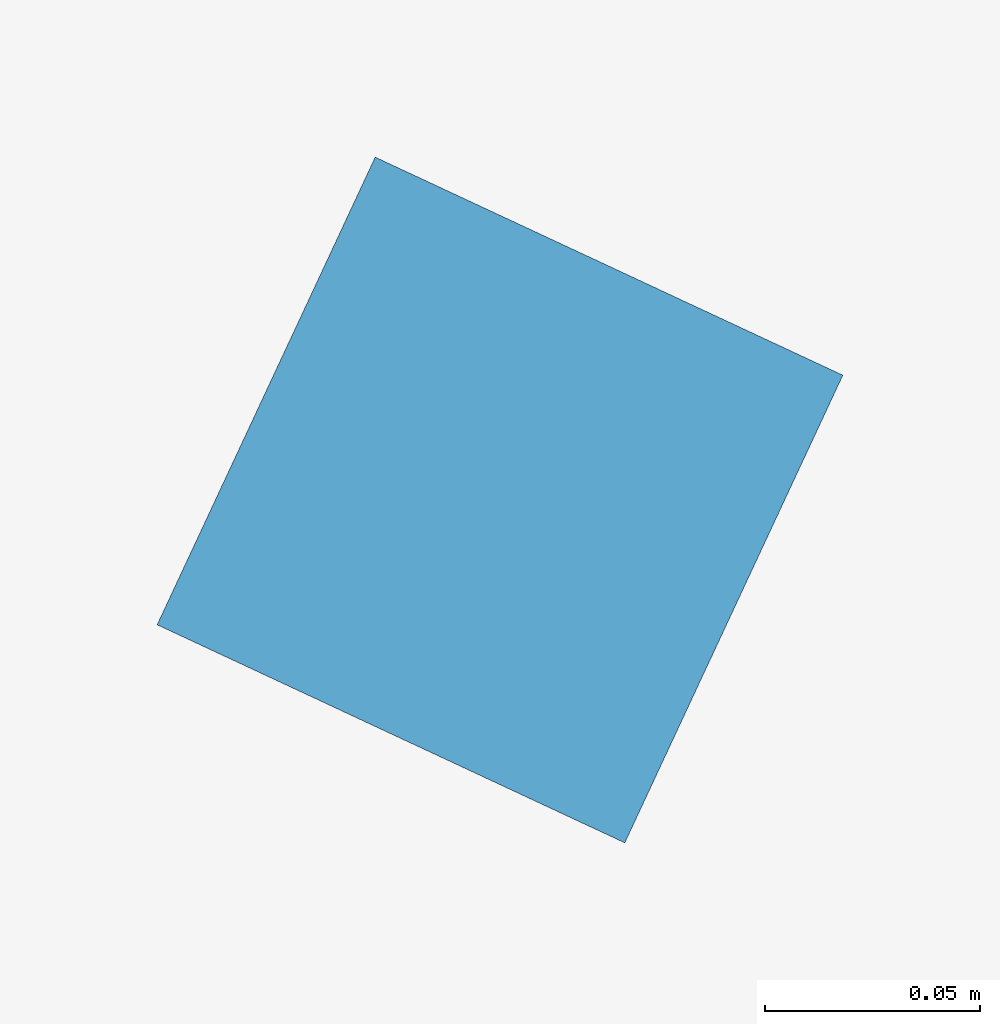
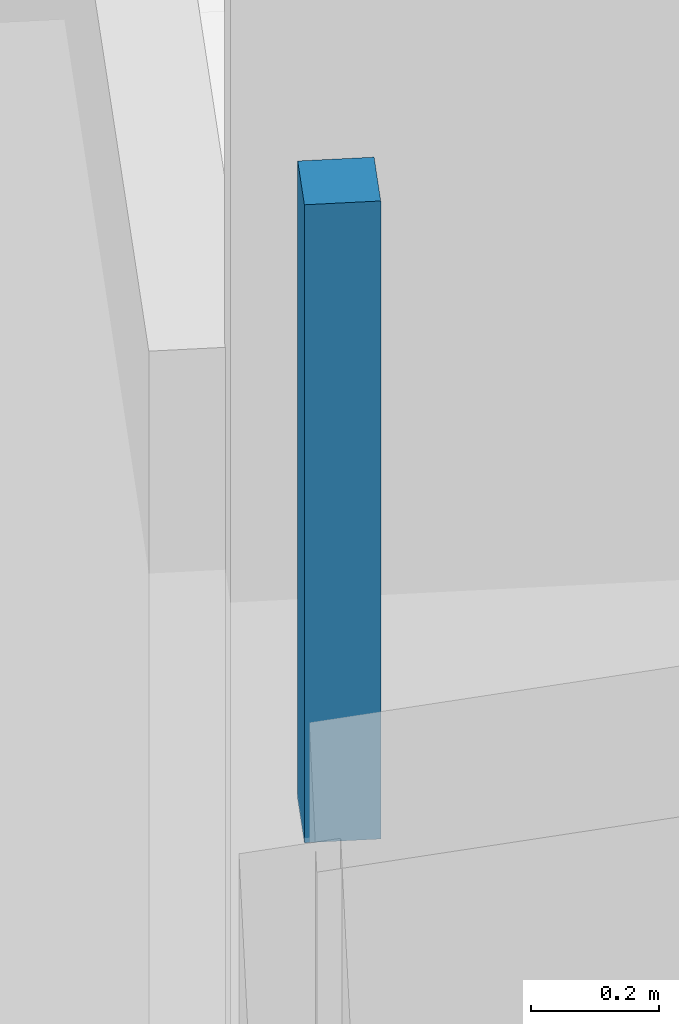
# One storey, part 19 of 23: 1 discrete accessory.
"""IFC4 building model written with IfcOpenShell, lengths in metres."""

from ifc_helpers import new_model, si_unit, direction, frame, origin, origin_2d, place, context, subcontext, project, spatial, rectangle, extrude, source, transform, mapped, material, type_object, element, save


model = new_model("IFC4")

# Units and contexts
model_context = context("Model", 3, precision=1e-05, world=origin(), true_north=direction((0.0, 1.0)))
body_context = subcontext(model_context, "Body", "Model", "MODEL_VIEW")
ifc_project = project(units=[si_unit("LENGTHUNIT", "METRE"), si_unit("AREAUNIT", "SQUARE_METRE"), si_unit("VOLUMEUNIT", "CUBIC_METRE"), si_unit("PLANEANGLEUNIT", "RADIAN"), si_unit("MASSUNIT", "GRAM", prefix="KILO")], contexts=[model_context])

# Site, building, storey
site_placement = place(None, origin())
site = spatial("IfcSite", under=ifc_project, at=site_placement, CompositionType="ELEMENT")
building_placement = place(site_placement, origin())
building = spatial("IfcBuilding", under=site, at=building_placement, Name="Torre Montelarca", CompositionType="ELEMENT")
storey_placement = place(building_placement, frame((0.0, 0.0, 158.199951171875)))
storey = spatial("IfcBuildingStorey", under=building, at=storey_placement, Name="L35", CompositionType="ELEMENT", Elevation=158.199951171875)

# Discrete accessory
ifc_material = material(Name="Galvanized steel suspension hanger", Category="steel")
discrete_accessory_type = type_object("IfcDiscreteAccessoryType", Name="ACC-CEIL-HNG", PredefinedType="BRACKET", material=ifc_material)
shared_shape = source(origin(), body_context, "Body", "SweptSolid", [
    extrude(rectangle(XDim=0.1201171875, YDim=0.1201171875, at=origin_2d()), origin(), (0.0, 0.0, 1.0), 1.219970703125),
])
discrete_accessory_placement = place(storey_placement, frame((32.875732421875, 31.55029296875, 2.76025390625), z_axis=(0.0, 0.0, 1.0), x_axis=(-0.906307787037, 0.422618261741, 0.0)))
element("IfcDiscreteAccessory", 1, at=discrete_accessory_placement, inside=storey, type_object=discrete_accessory_type, Name="L35 Suspended Ceiling Hanger Bracket 01", PredefinedType="BRACKET", context=body_context, shape_type="MappedRepresentation", body=[
    mapped(shared_shape, transform((0.0, 0.0, 0.0), scale=1.0)),
])

save(model, "model.ifc")
